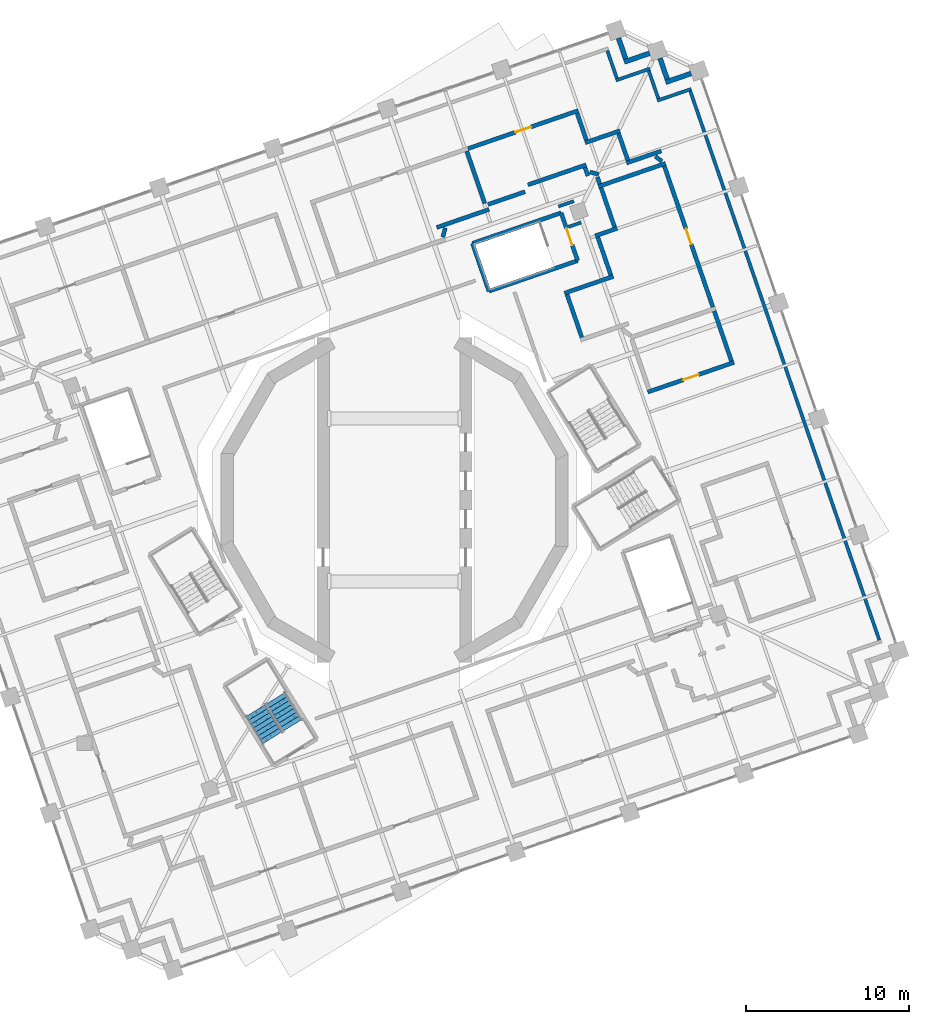
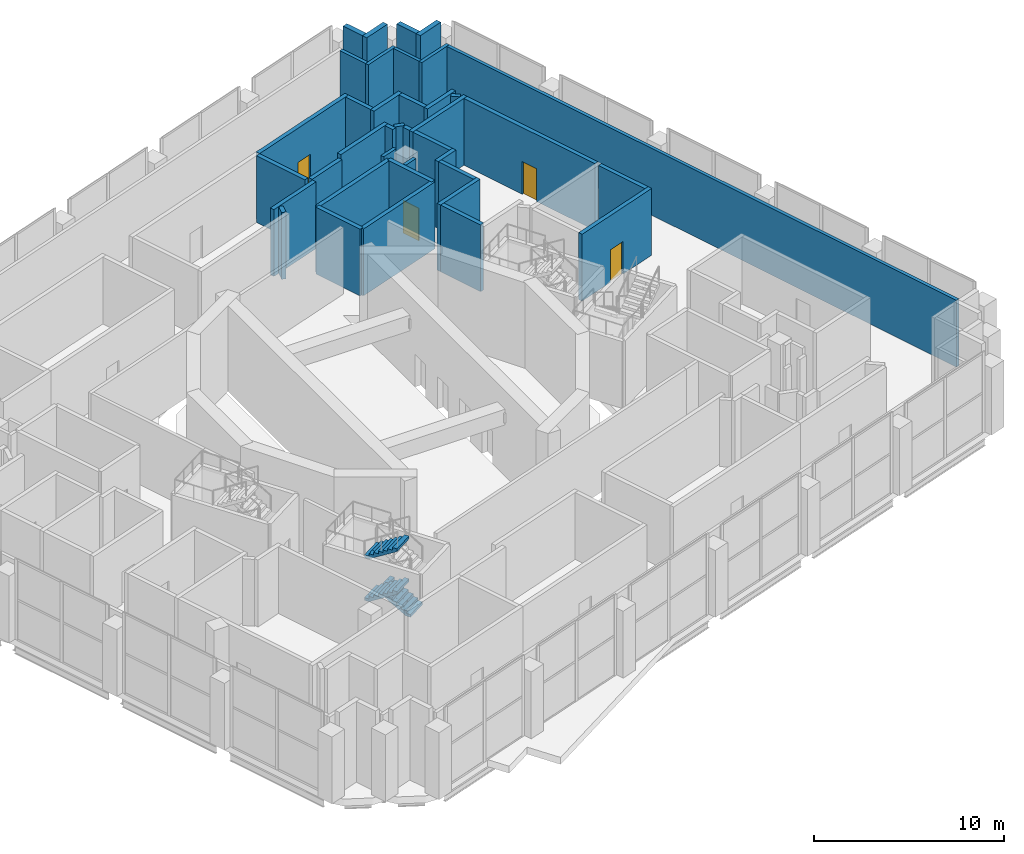
# One storey, part 14 of 20: 38 walls, 4 doors, 3 stair flights, 4 openings, 1 element without a shape of its own.
"""IFC4 building model written with IfcOpenShell, lengths in metres."""

from ifc_helpers import new_model, si_unit, direction, frame, frame_2d, origin, place, context, subcontext, project, spatial, polyline, rectangle, outline, extrude, material, layer, layer_set, type_object, element, fill, aggregate, save


model = new_model("IFC4")

# Units and contexts
model_context = context("Model", 3, precision=1e-05, world=origin(), true_north=direction((0.0, 1.0)))
body_context = subcontext(model_context, "Body", "Model", "MODEL_VIEW")
ifc_project = project(units=[si_unit("LENGTHUNIT", "METRE"), si_unit("AREAUNIT", "SQUARE_METRE"), si_unit("VOLUMEUNIT", "CUBIC_METRE"), si_unit("PLANEANGLEUNIT", "RADIAN"), si_unit("MASSUNIT", "GRAM", prefix="KILO")], contexts=[model_context])

# Site, building, storey
site_placement = place(None, origin())
site = spatial("IfcSite", under=ifc_project, at=site_placement, CompositionType="ELEMENT")
building_placement = place(site_placement, origin())
building = spatial("IfcBuilding", under=site, at=building_placement, Name="Cantera Rosa Tower", CompositionType="ELEMENT")
storey_placement = place(building_placement, frame((0.0, 0.0, 142.10009765625)))
storey = spatial("IfcBuildingStorey", under=building, at=storey_placement, Name="L30", CompositionType="ELEMENT", Elevation=142.10009765625)

# Walls
ifc_material_1 = material(Name="Masonry blockwork", Category="masonry")
ifc_layer_1 = layer(ifc_material_1, 0.199951171875)
ifc_layer_set_1 = layer_set([ifc_layer_1], Name="Blockwork partition 200")
wall_type_1 = type_object("IfcWallType", Name="Blockwork partition 200", PredefinedType="PARTITIONING", material=ifc_layer_set_1)
for number, where, z_axis, x_axis, name in (
    (1, (16.1083984375, 24.47802734375, 0.0), (0.0, 0.0, 1.0), (0.945541505529, 0.325501553488, 0.0), "Partition L30-119"),
    (2, (13.566162109375, 25.718017578125, 0.0), (0.0, 0.0, 1.0), (0.945541505529, 0.325501553488, 0.0), "Partition L30-121"),
):
    element("IfcWall", number, at=place(storey_placement, frame(where, z_axis=z_axis, x_axis=x_axis)), inside=storey, type_object=wall_type_1, Name=name, PredefinedType="PARTITIONING", context=body_context, shape_type="SweptSolid", body=[
        extrude(rectangle(XDim=2.199951171875, YDim=0.199951171875, at=frame_2d((1.10009765625, 0.0))), origin(), (0.0, 0.0, 1.0), 4.2998046875),
    ])
for number, where, z_axis, x_axis, name in (
    (3, (13.628173828125, 25.844970703125, 0.0), (0.0, 0.0, 1.0), (-0.32553083102, 0.945531426266, 0.0), "Partition L30-126"),
    (4, (16.17041015625, 24.60498046875, 0.0), (0.0, 0.0, 1.0), (-0.325652087248, 0.945489671055, 0.0), "Partition L30-128"),
):
    element("IfcWall", number, at=place(storey_placement, frame(where, z_axis=z_axis, x_axis=x_axis)), inside=storey, type_object=wall_type_1, Name=name, PredefinedType="PARTITIONING", context=body_context, shape_type="SweptSolid", body=[
        extrude(rectangle(XDim=1.800048828125, YDim=0.199951171875, at=frame_2d((0.89990234375, 0.0))), origin(), (0.0, 0.0, 1.0), 4.2998046875),
    ])
wall_1_placement = place(storey_placement, frame((29.716796875, -8.593505859375, 0.0), z_axis=(0.0, 0.0, 1.0), x_axis=(-0.325569225198, 0.945518206913, 0.0)))
element("IfcWall", 5, at=wall_1_placement, inside=storey, type_object=wall_type_1, Name="Partition L30-129", PredefinedType="PARTITIONING", context=body_context, shape_type="SweptSolid", body=[
    extrude(rectangle(XDim=35.60009765625, YDim=0.199951171875, at=frame_2d((17.800048828125, 0.0))), origin(), (0.0, 0.0, 1.0), 4.2998046875),
])
wall_2_placement = place(storey_placement, frame((10.66259765625, 16.74365234375, 0.0), z_axis=(0.0, 0.0, 1.0), x_axis=(0.945591841464, 0.32535529711, 0.0)))
element("IfcWall", 6, at=wall_2_placement, inside=storey, type_object=wall_type_1, Name="Partition L30-138", PredefinedType="PARTITIONING", context=body_context, shape_type="SweptSolid", body=[
    extrude(rectangle(XDim=0.817138671875, YDim=0.199951171875, at=frame_2d((0.40869140625, 0.0))), origin(), (0.0, 0.0, 1.0), 4.2998046875),
])
wall_3_placement = place(storey_placement, frame((10.0458984375, 17.99072265625, 0.0), z_axis=(0.0, 0.0, 1.0), x_axis=(0.945492968521, 0.325642513314, 0.0)))
element("IfcWall", 7, at=wall_3_placement, inside=storey, type_object=wall_type_1, Name="Partition L30-139", PredefinedType="PARTITIONING", context=body_context, shape_type="SweptSolid", body=[
    extrude(rectangle(XDim=0.994140625, YDim=0.199951171875, at=frame_2d((0.4970703125, 0.0))), origin(), (0.0, 0.0, 1.0), 4.2998046875),
])
ifc_material_2 = material(Name="Hollow clay masonry with cantera stone cladding", Category="masonry")
ifc_layer_2 = layer(ifc_material_2, 0.300048828125)
ifc_layer_set_2 = layer_set([ifc_layer_2], Name="EW-LOGGIA 300")
wall_type_2 = type_object("IfcWallType", Name="EW-LOGGIA 300", PredefinedType="SOLIDWALL", material=ifc_layer_set_2)
wall_4_placement = place(storey_placement, frame((18.17919921875, 26.142822265625, 0.0), z_axis=(0.0, 0.0, 1.0), x_axis=(-0.945530119553, -0.32553462645, 0.0)))
element("IfcWall", 8, at=wall_4_placement, inside=storey, type_object=wall_type_2, Name="EN-L30-W06a", PredefinedType="SOLIDWALL", context=body_context, shape_type="SweptSolid", body=[
    extrude(rectangle(XDim=1.64990234375, YDim=0.300048828125, at=frame_2d((0.824951171875, 0.0))), origin(), (0.0, 0.0, 1.0), 5.199951171875),
])
wall_5_placement = place(storey_placement, frame((16.7119140625, 25.79638671875, 0.0), z_axis=(0.0, 0.0, 1.0), x_axis=(-0.325544748006, 0.945526634763, 0.0)))
element("IfcWall", 9, at=wall_5_placement, inside=storey, type_object=wall_type_2, Name="EN-L30-W06b", PredefinedType="SOLIDWALL", context=body_context, shape_type="SweptSolid", body=[
    extrude(rectangle(XDim=1.349853515625, YDim=0.300048828125, at=frame_2d((0.6748046875, 0.0))), origin(), (0.0, 0.0, 1.0), 5.199951171875),
])
wall_6_placement = place(storey_placement, frame((15.636962890625, 27.3828125, 0.0), z_axis=(0.0, 0.0, 1.0), x_axis=(-0.945484566827, -0.325666906351, 0.0)))
element("IfcWall", 10, at=wall_6_placement, inside=storey, type_object=wall_type_2, Name="EN-L30-W07a", PredefinedType="SOLIDWALL", context=body_context, shape_type="SweptSolid", body=[
    extrude(rectangle(XDim=1.64990234375, YDim=0.300048828125, at=frame_2d((0.824951171875, 0.0))), origin(), (0.0, 0.0, 1.0), 5.199951171875),
])
wall_7_placement = place(storey_placement, frame((14.169921875, 27.0361328125, 0.0), z_axis=(0.0, 0.0, 1.0), x_axis=(-0.325650742363, 0.945490134268, 0.0)))
element("IfcWall", 11, at=wall_7_placement, inside=storey, type_object=wall_type_2, Name="EN-L30-W07b", PredefinedType="SOLIDWALL", context=body_context, shape_type="SweptSolid", body=[
    extrude(rectangle(XDim=1.35009765625, YDim=0.300048828125, at=frame_2d((0.675048828125, 0.0))), origin(), (0.0, 0.0, 1.0), 5.199951171875),
])
ifc_material_3 = material(Name="Masonry blockwork", Category="masonry")
ifc_layer_3 = layer(ifc_material_3, 0.25)
ifc_layer_set_3 = layer_set([ifc_layer_3], Name="Fire-rated wall 250")
wall_type_3 = type_object("IfcWallType", Name="Fire-rated wall 250", PredefinedType="PARTITIONING", material=ifc_layer_set_3)
wall_8_placement = place(storey_placement, frame((12.499755859375, 19.216552734375, 0.0), z_axis=(0.0, 0.0, 1.0), x_axis=(0.945516628527, 0.325573809111, 0.0)))
element("IfcWall", 12, at=wall_8_placement, inside=storey, type_object=wall_type_3, Name="Fire wall L30-14", PredefinedType="PARTITIONING", context=body_context, shape_type="SweptSolid", body=[
    extrude(rectangle(XDim=4.35009765625, YDim=0.25, at=frame_2d((2.175048828125, 0.0))), origin(), (0.0, 0.0, 1.0), 4.2998046875),
])
for number, where, z_axis, x_axis, name in (
    (13, (14.224853515625, 20.656494140625, 0.0), (0.0, 0.0, 1.0), (0.945500899264, 0.325619485735, 0.0), "Fire wall L30-24"),
    (14, (11.6826171875, 21.896484375, 0.0), (0.0, 0.0, 1.0), (0.945534300872, 0.325522481365, 0.0), "Fire wall L30-28"),
):
    element("IfcWall", number, at=place(storey_placement, frame(where, z_axis=z_axis, x_axis=x_axis)), inside=storey, type_object=wall_type_3, Name=name, PredefinedType="PARTITIONING", context=body_context, shape_type="SweptSolid", body=[
        extrude(rectangle(XDim=2.25, YDim=0.25, at=frame_2d((1.125, 0.0))), origin(), (0.0, 0.0, 1.0), 4.2998046875),
    ])

# Wall, opening, door
wall_9_placement = place(storey_placement, frame((4.507568359375, 21.541015625, 0.0), z_axis=(0.0, 0.0, 1.0), x_axis=(0.945512600944, 0.325585505598, 0.0)))
wall_9 = element("IfcWall", 15, at=wall_9_placement, inside=storey, type_object=wall_type_3, Name="Fire wall L30-34", PredefinedType="PARTITIONING", context=body_context, shape_type="SweptSolid", body=[
    extrude(rectangle(XDim=7.14990234375, YDim=0.25, at=frame_2d((3.574951171875, 0.0))), origin(), (0.0, 0.0, 1.0), 4.2998046875),
])
opening_1_placement = place(wall_9_placement, frame((3.074951171875, 0.0, 0.0)))
opening_1 = element("IfcOpeningElement", 16, at=opening_1_placement, cuts=wall_9, Name="Opening L30-004", PredefinedType="OPENING", context=body_context, shape_type="SweptSolid", body=[
    extrude(rectangle(XDim=1.0, YDim=2.10009765625, at=frame_2d((0.5, 1.050048828125))), frame((0.0, 0.135009765625, 0.0), z_axis=(0.0, -1.0, 0.0), x_axis=(1.0, 0.0, 0.0)), (0.0, 0.0, 1.0), 0.27001953125),
])
ifc_material_4 = material(Name="Steel S355J2 (EN 10025-2)", Category="steel")
door_type_1 = type_object("IfcDoorType", Name="Fire door 1000x2100", OperationType="NOTDEFINED", PredefinedType="DOOR", material=ifc_material_4)
door_1_placement = place(opening_1_placement, origin())
door_1 = element("IfcDoor", 17, at=door_1_placement, inside=storey, type_object=door_type_1, Name="Door L30-004", OverallHeight=2.10009765625, OverallWidth=1.0, PredefinedType="DOOR", context=body_context, shape_type="SweptSolid", body=[
    extrude(rectangle(XDim=1.0, YDim=2.10009765625, at=frame_2d((0.5, 1.050048828125))), frame((0.0, 0.02490234375, 0.0), z_axis=(0.0, -1.0, 0.0), x_axis=(1.0, 0.0, 0.0)), (0.0, 0.0, 1.0), 0.050048828125),
])
fill(opening_1, door_1)

# Walls
wall_10_placement = place(storey_placement, frame((11.9697265625, 20.10400390625, 0.0), z_axis=(0.0, 0.0, 1.0), x_axis=(0.9659363254, -0.258779858709, 0.0)))
element("IfcWall", 18, at=wall_10_placement, inside=storey, type_object=wall_type_3, Name="Fire wall L30-40", PredefinedType="PARTITIONING", context=body_context, shape_type="SweptSolid", body=[
    extrude(rectangle(XDim=0.5576171875, YDim=0.25, at=frame_2d((0.27880859375, 0.0))), origin(), (0.0, 0.0, 1.0), 4.2998046875),
])
wall_11_placement = place(storey_placement, frame((5.533203125, 18.177978515625, 0.0), z_axis=(0.0, 0.0, 1.0), x_axis=(-0.325571014401, 0.945517590837, 0.0)))
element("IfcWall", 19, at=wall_11_placement, inside=storey, type_object=wall_type_3, Name="Fire wall L30-44", PredefinedType="PARTITIONING", context=body_context, shape_type="SweptSolid", body=[
    extrude(rectangle(XDim=3.388671875, YDim=0.25, at=frame_2d((1.6943359375, 0.0))), origin(), (0.0, 0.0, 1.0), 4.2998046875),
])
wall_12_placement = place(storey_placement, frame((2.590087890625, 16.705810546875, 0.0), z_axis=(0.0, 0.0, 1.0), x_axis=(0.945516126736, 0.325575266387, 0.0)))
element("IfcWall", 20, at=wall_12_placement, inside=storey, type_object=wall_type_3, Name="Fire wall L30-45", PredefinedType="PARTITIONING", context=body_context, shape_type="SweptSolid", body=[
    extrude(rectangle(XDim=3.38720703125, YDim=0.25, at=frame_2d((1.693603515625, 0.0))), origin(), (0.0, 0.0, 1.0), 4.2998046875),
])
wall_13_placement = place(storey_placement, frame((2.960693359375, 16.11669921875, 0.0), z_axis=(0.0, 0.0, 1.0), x_axis=(0.25856958048, 0.965992635609, 0.0)))
element("IfcWall", 21, at=wall_13_placement, inside=storey, type_object=wall_type_3, Name="Fire wall L30-46", PredefinedType="PARTITIONING", context=body_context, shape_type="SweptSolid", body=[
    extrude(rectangle(XDim=0.58642578125, YDim=0.25, at=frame_2d((0.293212890625, 0.0))), origin(), (0.0, 0.0, 1.0), 4.2998046875),
])
wall_14_placement = place(storey_placement, frame((11.76025390625, 22.055419921875, 0.0), z_axis=(0.0, 0.0, 1.0), x_axis=(-0.32562949047, 0.945497453691, 0.0)))
element("IfcWall", 22, at=wall_14_placement, inside=storey, type_object=wall_type_3, Name="Fire wall L30-50", PredefinedType="PARTITIONING", context=body_context, shape_type="SweptSolid", body=[
    extrude(rectangle(XDim=1.75, YDim=0.25, at=frame_2d((0.875, 0.0))), origin(), (0.0, 0.0, 1.0), 4.2998046875),
])
wall_15_placement = place(storey_placement, frame((14.302490234375, 20.8154296875, 0.0), z_axis=(0.0, 0.0, 1.0), x_axis=(-0.325586541467, 0.945512244244, 0.0)))
element("IfcWall", 23, at=wall_15_placement, inside=storey, type_object=wall_type_3, Name="Fire wall L30-51", PredefinedType="PARTITIONING", context=body_context, shape_type="SweptSolid", body=[
    extrude(rectangle(XDim=1.750244140625, YDim=0.25, at=frame_2d((0.875, 0.0))), origin(), (0.0, 0.0, 1.0), 4.2998046875),
])
wall_16_placement = place(storey_placement, frame((20.65380859375, 8.512939453125, 0.0), z_axis=(0.0, 0.0, 1.0), x_axis=(-0.325564684577, 0.945519770368, 0.0)))
element("IfcWall", 24, at=wall_16_placement, inside=storey, type_object=wall_type_3, Name="Fire wall L30-53", PredefinedType="PARTITIONING", context=body_context, shape_type="SweptSolid", body=[
    extrude(rectangle(XDim=3.25, YDim=0.25, at=frame_2d((1.625, 0.0))), origin(), (0.0, 0.0, 1.0), 4.2998046875),
])

# Wall, opening, door
wall_17_placement = place(storey_placement, frame((19.51416015625, 11.822265625, 0.0), z_axis=(0.0, 0.0, 1.0), x_axis=(-0.325569642151, 0.945518063344, 0.0)))
wall_17 = element("IfcWall", 25, at=wall_17_placement, inside=storey, type_object=wall_type_3, Name="Fire wall L30-54", PredefinedType="PARTITIONING", context=body_context, shape_type="SweptSolid", body=[
    extrude(rectangle(XDim=9.150146484375, YDim=0.25, at=frame_2d((4.5751953125, 0.0))), origin(), (0.0, 0.0, 1.0), 4.2998046875),
])
opening_2_placement = place(wall_17_placement, frame((4.074951171875, 0.0, 0.0)))
opening_2 = element("IfcOpeningElement", 26, at=opening_2_placement, cuts=wall_17, Name="Opening L30-007", PredefinedType="OPENING", context=body_context, shape_type="SweptSolid", body=[
    extrude(rectangle(XDim=1.0, YDim=2.10009765625, at=frame_2d((0.5, 1.050048828125))), frame((0.0, 0.135009765625, 0.0), z_axis=(0.0, -1.0, 0.0), x_axis=(1.0, 0.0, 0.0)), (0.0, 0.0, 1.0), 0.27001953125),
])
door_2_placement = place(opening_2_placement, origin())
door_2 = element("IfcDoor", 27, at=door_2_placement, inside=storey, type_object=door_type_1, Name="Door L30-007", OverallHeight=2.10009765625, OverallWidth=1.0, PredefinedType="DOOR", context=body_context, shape_type="SweptSolid", body=[
    extrude(rectangle(XDim=1.0, YDim=2.10009765625, at=frame_2d((0.5, 1.050048828125))), frame((0.0, 0.02490234375, 0.0), z_axis=(0.0, -1.0, 0.0), x_axis=(1.0, 0.0, 0.0)), (0.0, 0.0, 1.0), 0.050048828125),
])
fill(opening_2, door_2)

# Walls
wall_18_placement = place(storey_placement, frame((16.389892578125, 20.75830078125, 0.0), z_axis=(0.0, 0.0, 1.0), x_axis=(-0.798659636566, 0.601783004844, 0.0)))
element("IfcWall", 28, at=wall_18_placement, inside=storey, type_object=wall_type_3, Name="Fire wall L30-55", PredefinedType="PARTITIONING", context=body_context, shape_type="SweptSolid", body=[
    extrude(rectangle(XDim=0.50341796875, YDim=0.25, at=frame_2d((0.251708984375, 0.0))), origin(), (0.0, 0.0, 1.0), 4.2998046875),
])
wall_19_placement = place(storey_placement, frame((13.48876953125, 16.727783203125, 0.0), z_axis=(0.0, 0.0, 1.0), x_axis=(-0.325518552256, 0.945535653552, 0.0)))
element("IfcWall", 29, at=wall_19_placement, inside=storey, type_object=wall_type_3, Name="Fire wall L30-57", PredefinedType="PARTITIONING", context=body_context, shape_type="SweptSolid", body=[
    extrude(rectangle(XDim=2.550048828125, YDim=0.25, at=frame_2d((1.27490234375, 0.0))), origin(), (0.0, 0.0, 1.0), 4.2998046875),
])
wall_20_placement = place(storey_placement, frame((12.5771484375, 19.375244140625, 0.0), z_axis=(0.0, 0.0, 1.0), x_axis=(-0.325489086777, 0.945545797087, 0.0)))
element("IfcWall", 30, at=wall_20_placement, inside=storey, type_object=wall_type_3, Name="Fire wall L30-58", PredefinedType="PARTITIONING", context=body_context, shape_type="SweptSolid", body=[
    extrude(rectangle(XDim=0.449951171875, YDim=0.25, at=frame_2d((0.22509765625, 0.0))), origin(), (0.0, 0.0, 1.0), 4.2998046875),
])
wall_21_placement = place(storey_placement, frame((11.850830078125, 19.865478515625, 0.0), z_axis=(0.0, 0.0, 1.0), x_axis=(-0.325759101369, 0.945452805737, 0.0)))
element("IfcWall", 31, at=wall_21_placement, inside=storey, type_object=wall_type_3, Name="Fire wall L30-59", PredefinedType="PARTITIONING", context=body_context, shape_type="SweptSolid", body=[
    extrude(rectangle(XDim=0.55224609375, YDim=0.25, at=frame_2d((0.276123046875, 0.0))), origin(), (0.0, 0.0, 1.0), 4.2998046875),
])
wall_22_placement = place(storey_placement, frame((8.1767578125, 19.31689453125, 0.0), z_axis=(0.0, 0.0, 1.0), x_axis=(0.945528780884, 0.325538514649, 0.0)))
element("IfcWall", 32, at=wall_22_placement, inside=storey, type_object=wall_type_3, Name="Fire wall L30-60", PredefinedType="PARTITIONING", context=body_context, shape_type="SweptSolid", body=[
    extrude(rectangle(XDim=3.777587890625, YDim=0.25, at=frame_2d((1.888671875, 0.0))), origin(), (0.0, 0.0, 1.0), 4.2998046875),
])
wall_23_placement = place(storey_placement, frame((5.721923828125, 18.11083984375, 0.0), z_axis=(0.0, 0.0, 1.0), x_axis=(0.945511986185, 0.325587290876, 0.0)))
element("IfcWall", 33, at=wall_23_placement, inside=storey, type_object=wall_type_3, Name="Fire wall L30-61", PredefinedType="PARTITIONING", context=body_context, shape_type="SweptSolid", body=[
    extrude(rectangle(XDim=2.40625, YDim=0.25, at=frame_2d((1.203125, 0.0))), origin(), (0.0, 0.0, 1.0), 4.2998046875),
])

# Wall, opening, door
wall_24_placement = place(storey_placement, frame((15.522705078125, 6.614013671875, 0.0), z_axis=(0.0, 0.0, 1.0), x_axis=(0.945512482082, 0.325585850778, 0.0)))
wall_24 = element("IfcWall", 34, at=wall_24_placement, inside=storey, type_object=wall_type_3, Name="Fire wall L30-76", PredefinedType="PARTITIONING", context=body_context, shape_type="SweptSolid", body=[
    extrude(rectangle(XDim=5.5947265625, YDim=0.25, at=frame_2d((2.79736328125, 0.0))), origin(), (0.0, 0.0, 1.0), 4.2998046875),
])
opening_3_placement = place(wall_24_placement, frame((2.29736328125, 0.0, 0.0)))
opening_3 = element("IfcOpeningElement", 35, at=opening_3_placement, cuts=wall_24, Name="Opening L30-006", PredefinedType="OPENING", context=body_context, shape_type="SweptSolid", body=[
    extrude(rectangle(XDim=1.0, YDim=2.10009765625, at=frame_2d((0.5, 1.050048828125))), frame((0.0, 0.135009765625, 0.0), z_axis=(0.0, -1.0, 0.0), x_axis=(1.0, 0.0, 0.0)), (0.0, 0.0, 1.0), 0.27001953125),
])
door_3_placement = place(opening_3_placement, origin())
door_3 = element("IfcDoor", 36, at=door_3_placement, inside=storey, type_object=door_type_1, Name="Door L30-006", OverallHeight=2.10009765625, OverallWidth=1.0, PredefinedType="DOOR", context=body_context, shape_type="SweptSolid", body=[
    extrude(rectangle(XDim=1.0, YDim=2.10009765625, at=frame_2d((0.5, 1.050048828125))), frame((0.0, 0.02490234375, 0.0), z_axis=(0.0, -1.0, 0.0), x_axis=(1.0, 0.0, 0.0)), (0.0, 0.0, 1.0), 0.050048828125),
])
fill(opening_3, door_3)

# Walls
wall_25_placement = place(storey_placement, frame((11.48095703125, 9.9658203125, 0.0), z_axis=(0.0, 0.0, 1.0), x_axis=(-0.325557953297, 0.945522088079, 0.0)))
element("IfcWall", 37, at=wall_25_placement, inside=storey, type_object=wall_type_3, Name="Fire wall L30-77", PredefinedType="PARTITIONING", context=body_context, shape_type="SweptSolid", body=[
    extrude(rectangle(XDim=2.7822265625, YDim=0.25, at=frame_2d((1.39111328125, 0.0))), origin(), (0.0, 0.0, 1.0), 4.2998046875),
])
wall_26_placement = place(storey_placement, frame((10.416259765625, 12.674072265625, 0.0), z_axis=(0.0, 0.0, 1.0), x_axis=(0.945520890039, 0.32556143276, 0.0)))
element("IfcWall", 38, at=wall_26_placement, inside=storey, type_object=wall_type_3, Name="Fire wall L30-78", PredefinedType="PARTITIONING", context=body_context, shape_type="SweptSolid", body=[
    extrude(rectangle(XDim=3.1728515625, YDim=0.25, at=frame_2d((1.58642578125, 0.0))), origin(), (0.0, 0.0, 1.0), 4.2998046875),
])
wall_27_placement = place(storey_placement, frame((13.25732421875, 13.784423828125, 0.0), z_axis=(0.0, 0.0, 1.0), x_axis=(-0.32559883024, 0.945508012524, 0.0)))
element("IfcWall", 39, at=wall_27_placement, inside=storey, type_object=wall_type_3, Name="Fire wall L30-79", PredefinedType="PARTITIONING", context=body_context, shape_type="SweptSolid", body=[
    extrude(rectangle(XDim=2.4580078125, YDim=0.25, at=frame_2d((1.22900390625, 0.0))), origin(), (0.0, 0.0, 1.0), 4.2998046875),
])
wall_28_placement = place(storey_placement, frame((12.29833984375, 16.185791015625, 0.0), z_axis=(0.0, 0.0, 1.0), x_axis=(0.945523774172, 0.325553056314, 0.0)))
element("IfcWall", 40, at=wall_28_placement, inside=storey, type_object=wall_type_3, Name="Fire wall L30-81", PredefinedType="PARTITIONING", context=body_context, shape_type="SweptSolid", body=[
    extrude(rectangle(XDim=1.427001953125, YDim=0.25, at=frame_2d((0.71337890625, 0.0))), origin(), (0.0, 0.0, 1.0), 4.2998046875),
])

# Wall, opening, door
ifc_material_5 = material(Name="Concrete C50/60", Category="concrete")
ifc_layer_4 = layer(ifc_material_5, 0.25)
ifc_layer_set_4 = layer_set([ifc_layer_4], Name="RC stair wall 250 C50/60")
wall_type_4 = type_object("IfcWallType", Name="RC stair wall 250", PredefinedType="SOLIDWALL", material=ifc_layer_set_4)
wall_29_placement = place(storey_placement, frame((10.213623046875, 17.6015625, 0.0), z_axis=(0.0, 0.0, 1.0), x_axis=(0.325568342783, -0.945518510753, 0.0)))
wall_29 = element("IfcWall", 41, at=wall_29_placement, inside=storey, type_object=wall_type_4, Name="STAIR WALL ST-21 L30-11", PredefinedType="SOLIDWALL", context=body_context, shape_type="SweptSolid", body=[
    extrude(rectangle(XDim=3.10009765625, YDim=0.25, at=frame_2d((1.550048828125, 0.0))), origin(), (0.0, 0.0, 1.0), 4.2998046875),
])
opening_4_placement = place(wall_29_placement, frame((1.0, 0.0, 0.0)))
opening_4 = element("IfcOpeningElement", 42, at=opening_4_placement, cuts=wall_29, Name="Opening L30-ST-21", PredefinedType="OPENING", context=body_context, shape_type="SweptSolid", body=[
    extrude(rectangle(XDim=1.10009765625, YDim=2.10009765625, at=frame_2d((0.550048828125, 1.050048828125))), frame((0.0, 0.135009765625, 0.0), z_axis=(0.0, -1.0, 0.0), x_axis=(1.0, 0.0, 0.0)), (0.0, 0.0, 1.0), 0.27001953125),
])
ifc_material_6 = material(Name="Steel S355J2 (EN 10025-2)", Category="steel")
door_type_2 = type_object("IfcDoorType", Name="STAIR DOOR 1100x2100", OperationType="NOTDEFINED", PredefinedType="DOOR", material=ifc_material_6)
door_4_placement = place(opening_4_placement, origin())
door_4 = element("IfcDoor", 43, at=door_4_placement, inside=storey, type_object=door_type_2, Name="DOOR L30-ST-21", OperationType="NOTDEFINED", OverallHeight=2.10009765625, OverallWidth=1.10009765625, PredefinedType="DOOR", context=body_context, shape_type="SweptSolid", body=[
    extrude(rectangle(XDim=1.10009765625, YDim=2.10009765625, at=frame_2d((0.550048828125, 1.050048828125))), frame((0.0, 0.02490234375, 0.0), z_axis=(0.0, -1.0, 0.0), x_axis=(1.0, 0.0, 0.0)), (0.0, 0.0, 1.0), 0.050048828125),
])
fill(opening_4, door_4)

# Walls
wall_30_placement = place(storey_placement, frame((11.222900390625, 14.67041015625, 0.0), z_axis=(0.0, 0.0, 1.0), x_axis=(-0.945511873973, -0.325587616743, 0.0)))
element("IfcWall", 44, at=wall_30_placement, inside=storey, type_object=wall_type_4, Name="STAIR WALL ST-21 L30-21", PredefinedType="SOLIDWALL", context=body_context, shape_type="SweptSolid", body=[
    extrude(rectangle(XDim=5.749755859375, YDim=0.25, at=frame_2d((2.875, 0.0))), origin(), (0.0, 0.0, 1.0), 4.2998046875),
])
wall_31_placement = place(storey_placement, frame((5.786376953125, 12.79833984375, 0.0), z_axis=(0.0, 0.0, 1.0), x_axis=(-0.325568342783, 0.945518510753, 0.0)))
element("IfcWall", 45, at=wall_31_placement, inside=storey, type_object=wall_type_4, Name="STAIR WALL ST-21 L30-31", PredefinedType="SOLIDWALL", context=body_context, shape_type="SweptSolid", body=[
    extrude(rectangle(XDim=3.10009765625, YDim=0.25, at=frame_2d((1.550048828125, 0.0))), origin(), (0.0, 0.0, 1.0), 4.2998046875),
])
wall_32_placement = place(storey_placement, frame((4.777099609375, 15.7294921875, 0.0), z_axis=(0.0, 0.0, 1.0), x_axis=(0.945511873973, 0.325587616743, 0.0)))
element("IfcWall", 46, at=wall_32_placement, inside=storey, type_object=wall_type_4, Name="STAIR WALL ST-21 L30-41", PredefinedType="SOLIDWALL", context=body_context, shape_type="SweptSolid", body=[
    extrude(rectangle(XDim=5.749755859375, YDim=0.25, at=frame_2d((2.875, 0.0))), origin(), (0.0, 0.0, 1.0), 4.2998046875),
])

# Stair, stair flights
ifc_material_7 = material(Name="Concrete C35/45", Category="concrete")
stair_type = type_object("IfcStairType", Name="EXIT STAIR 1350 DOGLEG", PredefinedType="HALF_TURN_STAIR", material=ifc_material_7)
stair_placement = place(storey_placement, origin())
stair = element("IfcStair", 47, at=stair_placement, inside=storey, type_object=stair_type, Name="L30 ST-33", PredefinedType="HALF_TURN_STAIR")
ifc_material_8 = material(Name="Concrete C35/45", Category="concrete")
stair_flight_type = type_object("IfcStairFlightType", Name="STAIR FLIGHT 1350 R32x172", PredefinedType="STRAIGHT", material=ifc_material_8)
stair_flight_1_placement = place(storey_placement, frame((-6.226806640625, -13.7978515625, 0.0), z_axis=(0.0, 0.0, 1.0), x_axis=(-0.524976585286, 0.851116669383, 0.0)))
stair_flight_1 = element("IfcStairFlight", 48, at=stair_flight_1_placement, type_object=stair_flight_type, Name="ST-33 flight 1", NumberOfRisers=8, NumberOfTreads=7, PredefinedType="STRAIGHT", RiserHeight=0.171875, TreadLength=0.28, context=body_context, shape_type="SweptSolid", body=[
    extrude(outline(polyline([(0.0, 0.0), (0.0, 0.171875), (0.280029296875, 0.171875), (0.280029296875, 0.34375), (0.56005859375, 0.34375), (0.56005859375, 0.515625), (0.840087890625, 0.515625), (0.840087890625, 0.6875), (1.1201171875, 0.6875), (1.1201171875, 0.859375), (1.39990234375, 0.859375), (1.39990234375, 1.03125), (1.679931640625, 1.03125), (1.679931640625, 1.203125), (1.9599609375, 1.203125), (1.9599609375, 1.375), (1.9599609375, 1.02734375), (0.28662109375, 0.0), (0.0, 0.0)])), frame((0.0, 0.675048828125, 0.0), z_axis=(0.0, -1.0, 0.0), x_axis=(1.0, 0.0, 0.0)), (0.0, 0.0, 1.0), 0.3359375),
    extrude(outline(polyline([(0.0, 0.0), (0.0, 0.171875), (0.280029296875, 0.171875), (0.280029296875, 0.34375), (0.56005859375, 0.34375), (0.56005859375, 0.515625), (0.840087890625, 0.515625), (0.840087890625, 0.6875), (1.1201171875, 0.6875), (1.1201171875, 0.859375), (1.39990234375, 0.859375), (1.39990234375, 1.03125), (1.679931640625, 1.03125), (1.679931640625, 1.203125), (1.9599609375, 1.203125), (1.9599609375, 1.375), (1.9599609375, 1.02734375), (0.28662109375, 0.0), (0.0, 0.0)])), frame((0.0, 0.337158203125, 0.0), z_axis=(0.0, -1.0, 0.0), x_axis=(1.0, 0.0, 0.0)), (0.0, 0.0, 1.0), 0.3359375),
    extrude(outline(polyline([(0.0, 0.0), (0.0, 0.171875), (0.280029296875, 0.171875), (0.280029296875, 0.34375), (0.56005859375, 0.34375), (0.56005859375, 0.515625), (0.840087890625, 0.515625), (0.840087890625, 0.6875), (1.1201171875, 0.6875), (1.1201171875, 0.859375), (1.39990234375, 0.859375), (1.39990234375, 1.03125), (1.679931640625, 1.03125), (1.679931640625, 1.203125), (1.9599609375, 1.203125), (1.9599609375, 1.375), (1.9599609375, 1.02734375), (0.28662109375, 0.0), (0.0, 0.0)])), frame((0.0, -0.000732421875, 0.0), z_axis=(0.0, -1.0, 0.0), x_axis=(1.0, 0.0, 0.0)), (0.0, 0.0, 1.0), 0.3359375),
    extrude(outline(polyline([(0.0, 0.0), (0.0, 0.171875), (0.280029296875, 0.171875), (0.280029296875, 0.34375), (0.56005859375, 0.34375), (0.56005859375, 0.515625), (0.840087890625, 0.515625), (0.840087890625, 0.6875), (1.1201171875, 0.6875), (1.1201171875, 0.859375), (1.39990234375, 0.859375), (1.39990234375, 1.03125), (1.679931640625, 1.03125), (1.679931640625, 1.203125), (1.9599609375, 1.203125), (1.9599609375, 1.375), (1.9599609375, 1.02734375), (0.28662109375, 0.0), (0.0, 0.0)])), frame((0.0, -0.338623046875, 0.0), z_axis=(0.0, -1.0, 0.0), x_axis=(1.0, 0.0, 0.0)), (0.0, 0.0, 1.0), 0.3359375),
])
stair_flight_2_placement = place(storey_placement, frame((-8.5322265625, -12.9169921875, 1.375), z_axis=(0.0, 0.0, 1.0), x_axis=(0.524976585286, -0.851116669383, 0.0)))
stair_flight_2 = element("IfcStairFlight", 49, at=stair_flight_2_placement, type_object=stair_flight_type, Name="ST-33 flight 2", NumberOfRisers=8, NumberOfTreads=7, PredefinedType="STRAIGHT", RiserHeight=0.171875, TreadLength=0.28, context=body_context, shape_type="SweptSolid", body=[
    extrude(outline(polyline([(0.0, 0.0), (0.0, 0.171875), (0.280029296875, 0.171875), (0.280029296875, 0.34375), (0.56005859375, 0.34375), (0.56005859375, 0.515625), (0.840087890625, 0.515625), (0.840087890625, 0.6875), (1.1201171875, 0.6875), (1.1201171875, 0.859375), (1.39990234375, 0.859375), (1.39990234375, 1.03125), (1.679931640625, 1.03125), (1.679931640625, 1.203125), (1.9599609375, 1.203125), (1.9599609375, 1.375), (1.9599609375, 1.02734375), (0.28662109375, 0.0), (0.0, 0.0)])), frame((0.0, 0.675048828125, 0.0), z_axis=(0.0, -1.0, 0.0), x_axis=(1.0, 0.0, 0.0)), (0.0, 0.0, 1.0), 0.3359375),
    extrude(outline(polyline([(0.0, 0.0), (0.0, 0.171875), (0.280029296875, 0.171875), (0.280029296875, 0.34375), (0.56005859375, 0.34375), (0.56005859375, 0.515625), (0.840087890625, 0.515625), (0.840087890625, 0.6875), (1.1201171875, 0.6875), (1.1201171875, 0.859375), (1.39990234375, 0.859375), (1.39990234375, 1.03125), (1.679931640625, 1.03125), (1.679931640625, 1.203125), (1.9599609375, 1.203125), (1.9599609375, 1.375), (1.9599609375, 1.02734375), (0.28662109375, 0.0), (0.0, 0.0)])), frame((0.0, 0.337158203125, 0.0), z_axis=(0.0, -1.0, 0.0), x_axis=(1.0, 0.0, 0.0)), (0.0, 0.0, 1.0), 0.3359375),
    extrude(outline(polyline([(0.0, 0.0), (0.0, 0.171875), (0.280029296875, 0.171875), (0.280029296875, 0.34375), (0.56005859375, 0.34375), (0.56005859375, 0.515625), (0.840087890625, 0.515625), (0.840087890625, 0.6875), (1.1201171875, 0.6875), (1.1201171875, 0.859375), (1.39990234375, 0.859375), (1.39990234375, 1.03125), (1.679931640625, 1.03125), (1.679931640625, 1.203125), (1.9599609375, 1.203125), (1.9599609375, 1.375), (1.9599609375, 1.02734375), (0.28662109375, 0.0), (0.0, 0.0)])), frame((0.0, -0.000732421875, 0.0), z_axis=(0.0, -1.0, 0.0), x_axis=(1.0, 0.0, 0.0)), (0.0, 0.0, 1.0), 0.3359375),
    extrude(outline(polyline([(0.0, 0.0), (0.0, 0.171875), (0.280029296875, 0.171875), (0.280029296875, 0.34375), (0.56005859375, 0.34375), (0.56005859375, 0.515625), (0.840087890625, 0.515625), (0.840087890625, 0.6875), (1.1201171875, 0.6875), (1.1201171875, 0.859375), (1.39990234375, 0.859375), (1.39990234375, 1.03125), (1.679931640625, 1.03125), (1.679931640625, 1.203125), (1.9599609375, 1.203125), (1.9599609375, 1.375), (1.9599609375, 1.02734375), (0.28662109375, 0.0), (0.0, 0.0)])), frame((0.0, -0.338623046875, 0.0), z_axis=(0.0, -1.0, 0.0), x_axis=(1.0, 0.0, 0.0)), (0.0, 0.0, 1.0), 0.3359375),
])
stair_flight_3_placement = place(storey_placement, frame((-8.5322265625, -12.9169921875, 4.125), z_axis=(0.0, 0.0, 1.0), x_axis=(0.524976585286, -0.851116669383, 0.0)))
stair_flight_3 = element("IfcStairFlight", 50, at=stair_flight_3_placement, type_object=stair_flight_type, Name="ST-33 flight 4", NumberOfRisers=8, NumberOfTreads=7, PredefinedType="STRAIGHT", RiserHeight=0.171875, TreadLength=0.28, context=body_context, shape_type="SweptSolid", body=[
    extrude(outline(polyline([(0.0, 0.0), (0.0, 0.171875), (0.280029296875, 0.171875), (0.280029296875, 0.34375), (0.56005859375, 0.34375), (0.56005859375, 0.515625), (0.840087890625, 0.515625), (0.840087890625, 0.6875), (1.1201171875, 0.6875), (1.1201171875, 0.859375), (1.39990234375, 0.859375), (1.39990234375, 1.03125), (1.679931640625, 1.03125), (1.679931640625, 1.203125), (1.9599609375, 1.203125), (1.9599609375, 1.375), (1.9599609375, 1.02734375), (0.28662109375, 0.0), (0.0, 0.0)])), frame((0.0, 0.675048828125, 0.0), z_axis=(0.0, -1.0, 0.0), x_axis=(1.0, 0.0, 0.0)), (0.0, 0.0, 1.0), 0.3359375),
    extrude(outline(polyline([(0.0, 0.0), (0.0, 0.171875), (0.280029296875, 0.171875), (0.280029296875, 0.34375), (0.56005859375, 0.34375), (0.56005859375, 0.515625), (0.840087890625, 0.515625), (0.840087890625, 0.6875), (1.1201171875, 0.6875), (1.1201171875, 0.859375), (1.39990234375, 0.859375), (1.39990234375, 1.03125), (1.679931640625, 1.03125), (1.679931640625, 1.203125), (1.9599609375, 1.203125), (1.9599609375, 1.375), (1.9599609375, 1.02734375), (0.28662109375, 0.0), (0.0, 0.0)])), frame((0.0, 0.337158203125, 0.0), z_axis=(0.0, -1.0, 0.0), x_axis=(1.0, 0.0, 0.0)), (0.0, 0.0, 1.0), 0.3359375),
    extrude(outline(polyline([(0.0, 0.0), (0.0, 0.171875), (0.280029296875, 0.171875), (0.280029296875, 0.34375), (0.56005859375, 0.34375), (0.56005859375, 0.515625), (0.840087890625, 0.515625), (0.840087890625, 0.6875), (1.1201171875, 0.6875), (1.1201171875, 0.859375), (1.39990234375, 0.859375), (1.39990234375, 1.03125), (1.679931640625, 1.03125), (1.679931640625, 1.203125), (1.9599609375, 1.203125), (1.9599609375, 1.375), (1.9599609375, 1.02734375), (0.28662109375, 0.0), (0.0, 0.0)])), frame((0.0, -0.000732421875, 0.0), z_axis=(0.0, -1.0, 0.0), x_axis=(1.0, 0.0, 0.0)), (0.0, 0.0, 1.0), 0.3359375),
    extrude(outline(polyline([(0.0, 0.0), (0.0, 0.171875), (0.280029296875, 0.171875), (0.280029296875, 0.34375), (0.56005859375, 0.34375), (0.56005859375, 0.515625), (0.840087890625, 0.515625), (0.840087890625, 0.6875), (1.1201171875, 0.6875), (1.1201171875, 0.859375), (1.39990234375, 0.859375), (1.39990234375, 1.03125), (1.679931640625, 1.03125), (1.679931640625, 1.203125), (1.9599609375, 1.203125), (1.9599609375, 1.375), (1.9599609375, 1.02734375), (0.28662109375, 0.0), (0.0, 0.0)])), frame((0.0, -0.338623046875, 0.0), z_axis=(0.0, -1.0, 0.0), x_axis=(1.0, 0.0, 0.0)), (0.0, 0.0, 1.0), 0.3359375),
])
aggregate(stair, [stair_flight_1, stair_flight_2, stair_flight_3])

save(model, "model.ifc")
